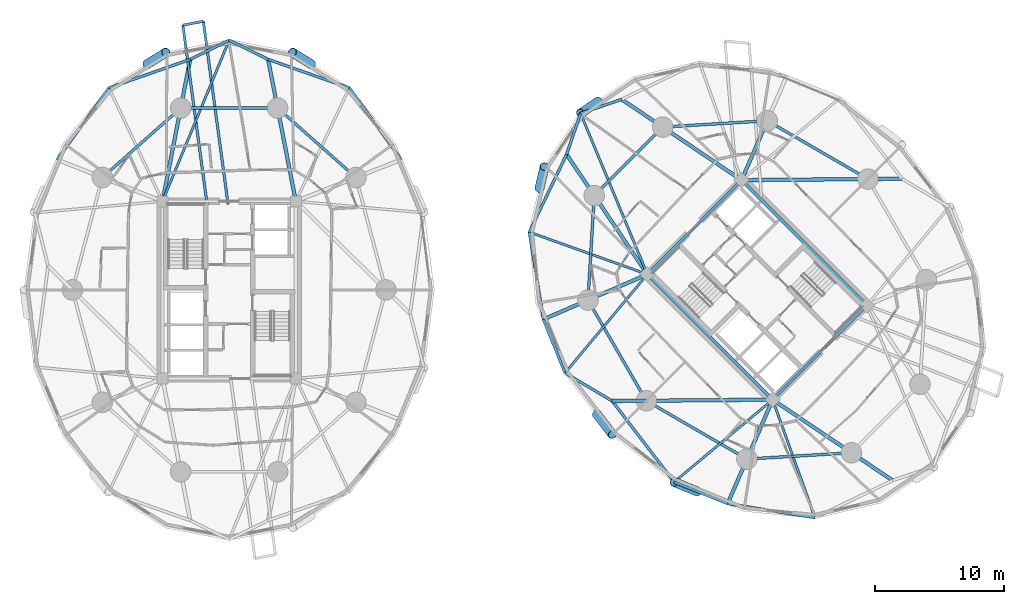
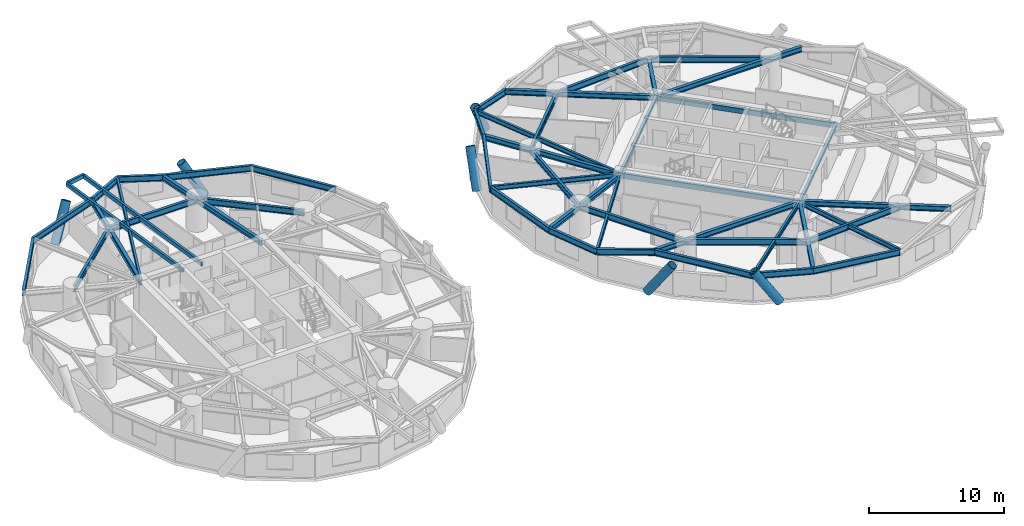
# One storey, part 5 of 18: 49 beams, 6 members.
"""IFC4 building model written with IfcOpenShell, lengths in metres."""

from ifc_helpers import new_model, si_unit, direction, frame, origin, origin_2d, place, context, subcontext, project, spatial, hollow_rectangle, hollow_circle, i_section, extrude, material, material_profile, profile_set, type_object, element, save


model = new_model("IFC4")

# Units and contexts
model_context = context("Model", 3, precision=1e-05, world=origin(), true_north=direction((0.0, 1.0)))
body_context = subcontext(model_context, "Body", "Model", "MODEL_VIEW")
ifc_project = project(units=[si_unit("LENGTHUNIT", "METRE"), si_unit("AREAUNIT", "SQUARE_METRE"), si_unit("VOLUMEUNIT", "CUBIC_METRE"), si_unit("PLANEANGLEUNIT", "RADIAN"), si_unit("MASSUNIT", "GRAM", prefix="KILO")], contexts=[model_context])

# Site, building, storey
site_placement = place(None, origin())
site = spatial("IfcSite", under=ifc_project, at=site_placement, CompositionType="ELEMENT")
building_placement = place(site_placement, origin())
building = spatial("IfcBuilding", under=site, at=building_placement, Name="Cununo Teusaquillo Station Towers", CompositionType="ELEMENT")
storey_placement = place(building_placement, frame((0.0, 0.0, 54.010009765625)))
storey = spatial("IfcBuildingStorey", under=building, at=storey_placement, Name="L16", CompositionType="ELEMENT", Elevation=54.010009765625)

# Beams
ifc_material_1 = material(Name="Steel EN 10025-2 S355J2", Category="steel")
ifc_material_profile_1 = material_profile(ifc_material_1, hollow_rectangle(XDim=0.199951171875, YDim=0.35009765625, WallThickness=0.013916015625, at=origin_2d()), Name="RHS 350x200x14")
ifc_profile_set_1 = profile_set([ifc_material_profile_1], Name="Steel EN 10025-2 S355J2")
beam_type_1 = type_object("IfcBeamType", Name="BM-BAL-CANT", PredefinedType="BEAM", material=ifc_profile_set_1)
beam_1_placement = place(storey_placement, frame((16.415283203125, 31.14990234375, 2.47509765625), z_axis=(-0.133924221821, 0.990991575549, 0.0), x_axis=(-0.990991575549, -0.133924221821, 0.0)))
element("IfcBeam", 1, at=beam_1_placement, inside=storey, type_object=beam_type_1, Name="L16 Tower A Balcony Cantilever Bracket 1A", PredefinedType="BEAM", context=body_context, shape_type="SweptSolid", body=[
    extrude(hollow_rectangle(XDim=0.199951171875, YDim=0.35009765625, WallThickness=0.013916015625, at=origin_2d()), origin(), (0.0, 0.0, 1.0), 14.34130859375),
])
beam_2_placement = place(storey_placement, frame((14.78759765625, 31.14990234375, 2.47509765625), z_axis=(-0.133936830088, 0.990989871566, 0.0), x_axis=(-0.990989871566, -0.133936830088, 0.0)))
element("IfcBeam", 2, at=beam_2_placement, inside=storey, type_object=beam_type_1, Name="L16 Tower A Balcony Cantilever Bracket 1B", PredefinedType="BEAM", context=body_context, shape_type="SweptSolid", body=[
    extrude(hollow_rectangle(XDim=0.199951171875, YDim=0.35009765625, WallThickness=0.013916015625, at=origin_2d()), origin(), (0.0, 0.0, 1.0), 14.031982421875),
])
ifc_material_2 = material(Name="Steel EN 10025-2 S355J2", Category="steel")
ifc_material_profile_2 = material_profile(ifc_material_2, hollow_rectangle(XDim=0.25, YDim=0.449951171875, WallThickness=0.01611328125, at=origin_2d()), Name="RHS 450x250x16")
ifc_profile_set_2 = profile_set([ifc_material_profile_2], Name="Steel EN 10025-2 S355J2")
beam_type_2 = type_object("IfcBeamType", Name="BM-COUP-1", PredefinedType="USERDEFINED", material=ifc_profile_set_2)
for number, where, z_axis, x_axis, name in (
    (3, (58.70556640625, 15.975830078125, 2.425048828125), (-0.707106781187, 0.707106781187, 0.0), (-0.707106781187, -0.707106781187, 0.0), "L16 Tower B Core Beam 1"),
    (4, (66.024169921875, 23.29443359375, 2.425048828125), (-0.707106781187, 0.707106781187, 0.0), (-0.707106781187, -0.707106781187, 0.0), "L16 Tower B Core Beam 2"),
):
    element("IfcBeam", number, at=place(storey_placement, frame(where, z_axis=z_axis, x_axis=x_axis)), inside=storey, type_object=beam_type_2, Name=name, ObjectType="COUPLING BEAM", PredefinedType="USERDEFINED", context=body_context, shape_type="SweptSolid", body=[
        extrude(hollow_rectangle(XDim=0.25, YDim=0.449951171875, WallThickness=0.01611328125, at=origin_2d()), origin(), (0.0, 0.0, 1.0), 13.760009765625),
    ])
ifc_material_3 = material(Name="Steel ASTM A572 Grade 50", Category="steel")
ifc_material_profile_3 = material_profile(ifc_material_3, i_section(OverallWidth=0.180908203125, OverallDepth=0.4169921875, WebThickness=0.010986328125, FlangeThickness=0.018310546875, FilletRadius=0.012939453125, at=origin_2d()), Name="W16X57")
ifc_profile_set_3 = profile_set([ifc_material_profile_3], Name="Steel ASTM A572 Grade 50")
beam_type_3 = type_object("IfcBeamType", Name="BM-JOIST-1", PredefinedType="JOIST", material=ifc_profile_set_3)
for number, where, z_axis, x_axis, name in (
    (5, (11.324951171875, 31.3798828125, 2.44140625), (0.382256753081, 0.924056153447, 0.0), (-0.924056153447, 0.382256753081, 0.0), "L16 Tower A Radial Spandrel Joist V05"),
    (6, (48.975830078125, 25.70556640625, 2.44140625), (-0.383107724927, 0.923703670612, 0.0), (-0.923703670612, -0.383107724927, 0.0), "L16 Tower B Radial Spandrel Joist V05"),
):
    element("IfcBeam", number, at=place(storey_placement, frame(where, z_axis=z_axis, x_axis=x_axis)), inside=storey, type_object=beam_type_3, Name=name, PredefinedType="JOIST", context=body_context, shape_type="SweptSolid", body=[
        extrude(i_section(OverallWidth=0.180908203125, OverallDepth=0.4169921875, WebThickness=0.010986328125, FlangeThickness=0.018310546875, FilletRadius=0.012939453125, at=origin_2d()), origin(), (0.0, 0.0, 1.0), 13.5380859375),
    ])
beam_3_placement = place(storey_placement, frame((48.975830078125, 25.70556640625, 2.44140625), z_axis=(-0.941404588136, 0.337279411522, 0.0), x_axis=(-0.337279411522, -0.941404588136, 0.0)))
element("IfcBeam", 7, at=beam_3_placement, inside=storey, type_object=beam_type_3, Name="L16 Tower B Radial Spandrel Joist V07", PredefinedType="JOIST", context=body_context, shape_type="SweptSolid", body=[
    extrude(i_section(OverallWidth=0.180908203125, OverallDepth=0.4169921875, WebThickness=0.010986328125, FlangeThickness=0.018310546875, FilletRadius=0.012939453125, at=origin_2d()), origin(), (0.0, 0.0, 1.0), 9.740234375),
])
for number, where, z_axis, x_axis, name in (
    (8, (48.975830078125, 25.70556640625, 2.44140625), (-0.641315728701, -0.767277092139, 0.0), (0.767277092139, -0.641315728701, 0.0), "L16 Tower B Radial Spandrel Joist V09"),
    (9, (58.70556640625, 15.975830078125, 2.44140625), (-0.767277092139, -0.641315728701, 0.0), (0.641315728701, -0.767277092139, 0.0), "L16 Tower B Radial Spandrel Joist V11"),
):
    element("IfcBeam", number, at=place(storey_placement, frame(where, z_axis=z_axis, x_axis=x_axis)), inside=storey, type_object=beam_type_3, Name=name, PredefinedType="JOIST", context=body_context, shape_type="SweptSolid", body=[
        extrude(i_section(OverallWidth=0.180908203125, OverallDepth=0.4169921875, WebThickness=0.010986328125, FlangeThickness=0.018310546875, FilletRadius=0.012939453125, at=origin_2d()), origin(), (0.0, 0.0, 1.0), 9.97021484375),
    ])
beam_4_placement = place(storey_placement, frame((58.70556640625, 15.975830078125, 2.44140625), z_axis=(0.337279411522, -0.941404588136, 0.0), x_axis=(0.941404588136, 0.337279411522, 0.0)))
element("IfcBeam", 10, at=beam_4_placement, inside=storey, type_object=beam_type_3, Name="L16 Tower B Radial Spandrel Joist V13", PredefinedType="JOIST", context=body_context, shape_type="SweptSolid", body=[
    extrude(i_section(OverallWidth=0.180908203125, OverallDepth=0.4169921875, WebThickness=0.010986328125, FlangeThickness=0.018310546875, FilletRadius=0.012939453125, at=origin_2d()), origin(), (0.0, 0.0, 1.0), 9.740234375),
])
ifc_material_4 = material(Name="Steel ASTM A572 Grade 50", Category="steel")
ifc_material_profile_4 = material_profile(ifc_material_4, i_section(OverallWidth=0.2041015625, OverallDepth=0.35009765625, WebThickness=0.008544921875, FlangeThickness=0.01513671875, FilletRadius=0.011962890625, at=origin_2d()), Name="W14X48")
ifc_profile_set_4 = profile_set([ifc_material_profile_4], Name="Steel ASTM A572 Grade 50")
beam_type_4 = type_object("IfcBeamType", Name="BM-LINTEL-1", PredefinedType="LINTEL", material=ifc_profile_set_4)
for number, where, z_axis, x_axis, name in (
    (11, (58.70556640625, 15.975830078125, 2.47509765625), (0.707106781187, 0.707106781187, 0.0), (-0.707106781187, 0.707106781187, 0.0), "L16 Tower B Core Beam 3"),
    (12, (48.975830078125, 25.70556640625, 2.47509765625), (0.707106781187, 0.707106781187, 0.0), (-0.707106781187, 0.707106781187, 0.0), "L16 Tower B Core Beam 4"),
):
    element("IfcBeam", number, at=place(storey_placement, frame(where, z_axis=z_axis, x_axis=x_axis)), inside=storey, type_object=beam_type_4, Name=name, PredefinedType="LINTEL", context=body_context, shape_type="SweptSolid", body=[
        extrude(i_section(OverallWidth=0.2041015625, OverallDepth=0.35009765625, WebThickness=0.008544921875, FlangeThickness=0.01513671875, FilletRadius=0.011962890625, at=origin_2d()), origin(), (0.0, 0.0, 1.0), 10.35009765625),
    ])
ifc_material_5 = material(Name="Steel ASTM A572 Grade 50", Category="steel")
ifc_material_profile_5 = material_profile(ifc_material_5, i_section(OverallWidth=0.280029296875, OverallDepth=0.462890625, WebThickness=0.0107421875, FlangeThickness=0.017333984375, FilletRadius=0.013916015625, at=origin_2d()), Name="W18X76")
ifc_profile_set_5 = profile_set([ifc_material_profile_5], Name="Steel ASTM A572 Grade 50")
beam_type_5 = type_object("IfcBeamType", Name="BM-RAD-G1", PredefinedType="BEAM", material=ifc_profile_set_5)
for number, where, z_axis, x_axis, name in (
    (13, (21.675048828125, 31.3798828125, 2.41845703125), (-0.191552755713, 0.981482318628, 0.0), (-0.981482318628, -0.191552755713, 0.0), "L16 Tower A Continuous Overhanging Radial Girder 03"),
    (14, (11.324951171875, 31.3798828125, 2.41845703125), (0.191552755713, 0.981482318628, 0.0), (-0.981482318628, 0.191552755713, 0.0), "L16 Tower A Continuous Overhanging Radial Girder 04"),
):
    element("IfcBeam", number, at=place(storey_placement, frame(where, z_axis=z_axis, x_axis=x_axis)), inside=storey, type_object=beam_type_5, Name=name, PredefinedType="BEAM", context=body_context, shape_type="SweptSolid", body=[
        extrude(i_section(OverallWidth=0.280029296875, OverallDepth=0.462890625, WebThickness=0.0107421875, FlangeThickness=0.017333984375, FilletRadius=0.013916015625, at=origin_2d()), origin(), (0.0, 0.0, 1.0), 11.22998046875),
    ])
beam_5_placement = place(storey_placement, frame((56.29443359375, 33.024169921875, 2.41845703125), z_axis=(0.999964334348, 0.008445710917, 0.0), x_axis=(-0.008445710917, 0.999964334348, 0.0)))
element("IfcBeam", 15, at=beam_5_placement, inside=storey, type_object=beam_type_5, Name="L16 Tower B Continuous Overhanging Radial Girder 01", PredefinedType="BEAM", context=body_context, shape_type="SweptSolid", body=[
    extrude(i_section(OverallWidth=0.280029296875, OverallDepth=0.462890625, WebThickness=0.0107421875, FlangeThickness=0.017333984375, FilletRadius=0.013916015625, at=origin_2d()), origin(), (0.0, 0.0, 1.0), 12.458984375),
])
beam_6_placement = place(storey_placement, frame((56.29443359375, 33.024169921875, 2.41845703125), z_axis=(0.397346986387, 0.917668443616, 0.0), x_axis=(-0.917668443616, 0.397346986387, 0.0)))
element("IfcBeam", 16, at=beam_6_placement, inside=storey, type_object=beam_type_5, Name="L16 Tower B Radial Girder 02A", PredefinedType="BEAM", context=body_context, shape_type="SweptSolid", body=[
    extrude(i_section(OverallWidth=0.280029296875, OverallDepth=0.462890625, WebThickness=0.0107421875, FlangeThickness=0.017333984375, FilletRadius=0.013916015625, at=origin_2d()), origin(), (0.0, 0.0, 1.0), 5.02490234375),
])
for number, where, z_axis, x_axis, name in (
    (17, (56.29443359375, 33.024169921875, 2.41845703125), (-0.82945583878, 0.558572297481, 0.0), (-0.558572297481, -0.82945583878, 0.0), "L16 Tower B Continuous Overhanging Radial Girder 03"),
    (18, (48.975830078125, 25.70556640625, 2.41845703125), (-0.558572297481, 0.82945583878, 0.0), (-0.82945583878, -0.558572297481, 0.0), "L16 Tower B Continuous Overhanging Radial Girder 04"),
):
    element("IfcBeam", number, at=place(storey_placement, frame(where, z_axis=z_axis, x_axis=x_axis)), inside=storey, type_object=beam_type_5, Name=name, PredefinedType="BEAM", context=body_context, shape_type="SweptSolid", body=[
        extrude(i_section(OverallWidth=0.280029296875, OverallDepth=0.462890625, WebThickness=0.0107421875, FlangeThickness=0.017333984375, FilletRadius=0.013916015625, at=origin_2d()), origin(), (0.0, 0.0, 1.0), 11.22998046875),
    ])
beam_7_placement = place(storey_placement, frame((48.975830078125, 25.70556640625, 2.41845703125), z_axis=(-0.917660203996, -0.397366015157, 0.0), x_axis=(0.397366015157, -0.917660203996, 0.0)))
element("IfcBeam", 19, at=beam_7_placement, inside=storey, type_object=beam_type_5, Name="L16 Tower B Continuous Overhanging Radial Girder 05", PredefinedType="BEAM", context=body_context, shape_type="SweptSolid", body=[
    extrude(i_section(OverallWidth=0.280029296875, OverallDepth=0.462890625, WebThickness=0.0107421875, FlangeThickness=0.017333984375, FilletRadius=0.013916015625, at=origin_2d()), origin(), (0.0, 0.0, 1.0), 8.798095703125),
])
beam_8_placement = place(storey_placement, frame((58.70556640625, 15.975830078125, 2.41845703125), z_axis=(-0.999964431382, -0.008434214327, 0.0), x_axis=(0.008434214327, -0.999964431382, 0.0)))
element("IfcBeam", 20, at=beam_8_placement, inside=storey, type_object=beam_type_5, Name="L16 Tower B Radial Girder 06A", PredefinedType="BEAM", context=body_context, shape_type="SweptSolid", body=[
    extrude(i_section(OverallWidth=0.280029296875, OverallDepth=0.462890625, WebThickness=0.0107421875, FlangeThickness=0.017333984375, FilletRadius=0.013916015625, at=origin_2d()), origin(), (0.0, 0.0, 1.0), 9.812744140625),
])
beam_9_placement = place(storey_placement, frame((48.89306640625, 15.89306640625, 2.41845703125), z_axis=(-0.999963973349, -0.008488345225, 0.0), x_axis=(0.008488345225, -0.999963973349, 0.0)))
element("IfcBeam", 21, at=beam_9_placement, inside=storey, type_object=beam_type_5, Name="L16 Tower B Perimeter Overhang Girder 06B", PredefinedType="BEAM", context=body_context, shape_type="SweptSolid", body=[
    extrude(i_section(OverallWidth=0.280029296875, OverallDepth=0.462890625, WebThickness=0.0107421875, FlangeThickness=0.017333984375, FilletRadius=0.013916015625, at=origin_2d()), origin(), (0.0, 0.0, 1.0), 2.64599609375),
])
beam_10_placement = place(storey_placement, frame((58.70556640625, 15.975830078125, 2.41845703125), z_axis=(-0.397366015157, -0.917660203996, 0.0), x_axis=(0.917660203996, -0.397366015157, 0.0)))
element("IfcBeam", 22, at=beam_10_placement, inside=storey, type_object=beam_type_5, Name="L16 Tower B Continuous Overhanging Radial Girder 07", PredefinedType="BEAM", context=body_context, shape_type="SweptSolid", body=[
    extrude(i_section(OverallWidth=0.280029296875, OverallDepth=0.462890625, WebThickness=0.0107421875, FlangeThickness=0.017333984375, FilletRadius=0.013916015625, at=origin_2d()), origin(), (0.0, 0.0, 1.0), 8.798095703125),
])
beam_11_placement = place(storey_placement, frame((58.70556640625, 15.975830078125, 2.41845703125), z_axis=(0.82945583878, -0.558572297481, 0.0), x_axis=(0.558572297481, 0.82945583878, 0.0)))
element("IfcBeam", 23, at=beam_11_placement, inside=storey, type_object=beam_type_5, Name="L16 Tower B Continuous Overhanging Radial Girder 08", PredefinedType="BEAM", context=body_context, shape_type="SweptSolid", body=[
    extrude(i_section(OverallWidth=0.280029296875, OverallDepth=0.462890625, WebThickness=0.0107421875, FlangeThickness=0.017333984375, FilletRadius=0.013916015625, at=origin_2d()), origin(), (0.0, 0.0, 1.0), 11.22998046875),
])
ifc_material_6 = material(Name="Steel ASTM A572 Grade 50", Category="steel")
ifc_material_profile_6 = material_profile(ifc_material_6, i_section(OverallWidth=0.214111328125, OverallDepth=0.549072265625, WebThickness=0.0146484375, FlangeThickness=0.023681640625, FilletRadius=0.014892578125, at=origin_2d()), Name="W21X93")
ifc_profile_set_6 = profile_set([ifc_material_profile_6], Name="Steel ASTM A572 Grade 50")
beam_type_6 = type_object("IfcBeamType", Name="BM-RING-Z1", PredefinedType="SPANDREL", material=ifc_profile_set_6)
beam_12_placement = place(storey_placement, frame((26.347412109375, 33.228515625, 2.37548828125), z_axis=(-0.74832120039, 0.66333655187, 0.0), x_axis=(-0.66333655187, -0.74832120039, 0.0)))
element("IfcBeam", 24, at=beam_12_placement, inside=storey, type_object=beam_type_6, Name="L16 Tower A Structural Column Ring Girder 02", PredefinedType="SPANDREL", context=body_context, shape_type="SweptSolid", body=[
    extrude(i_section(OverallWidth=0.214111328125, OverallDepth=0.549072265625, WebThickness=0.0146484375, FlangeThickness=0.023681640625, FilletRadius=0.014892578125, at=origin_2d()), origin(), (0.0, 0.0, 1.0), 8.1328125),
])
beam_13_placement = place(storey_placement, frame((20.261474609375, 38.623291015625, 2.37548828125), z_axis=(-1.0, 0.0, 0.0), x_axis=(0.0, -1.0, 0.0)))
element("IfcBeam", 25, at=beam_13_placement, inside=storey, type_object=beam_type_6, Name="L16 Tower A Structural Column Ring Girder 03", PredefinedType="SPANDREL", context=body_context, shape_type="SweptSolid", body=[
    extrude(i_section(OverallWidth=0.214111328125, OverallDepth=0.549072265625, WebThickness=0.0146484375, FlangeThickness=0.023681640625, FilletRadius=0.014892578125, at=origin_2d()), origin(), (0.0, 0.0, 1.0), 7.52294921875),
])
beam_14_placement = place(storey_placement, frame((12.738525390625, 38.623291015625, 2.37548828125), z_axis=(-0.74832120039, -0.66333655187, 0.0), x_axis=(0.66333655187, -0.74832120039, 0.0)))
element("IfcBeam", 26, at=beam_14_placement, inside=storey, type_object=beam_type_6, Name="L16 Tower A Structural Column Ring Girder 04", PredefinedType="SPANDREL", context=body_context, shape_type="SweptSolid", body=[
    extrude(i_section(OverallWidth=0.214111328125, OverallDepth=0.549072265625, WebThickness=0.0146484375, FlangeThickness=0.023681640625, FilletRadius=0.014892578125, at=origin_2d()), origin(), (0.0, 0.0, 1.0), 8.1328125),
])
beam_15_placement = place(storey_placement, frame((29.856201171875, 34.61669921875, 2.37548828125), z_axis=(-0.585268642749, 0.810839451319, 0.0), x_axis=(-0.810839451319, -0.585268642749, 0.0)))
element("IfcBeam", 27, at=beam_15_placement, inside=storey, type_object=beam_type_6, Name="L16 Tower A Spandrel Ring Beam 03", PredefinedType="SPANDREL", context=body_context, shape_type="SweptSolid", body=[
    extrude(i_section(OverallWidth=0.214111328125, OverallDepth=0.549072265625, WebThickness=0.0146484375, FlangeThickness=0.023681640625, FilletRadius=0.014892578125, at=origin_2d()), origin(), (0.0, 0.0, 1.0), 6.86962890625),
])
beam_16_placement = place(storey_placement, frame((25.835693359375, 40.186767578125, 2.37548828125), z_axis=(-0.943579776012, 0.33114529485, 0.0), x_axis=(-0.33114529485, -0.943579776012, 0.0)))
element("IfcBeam", 28, at=beam_16_placement, inside=storey, type_object=beam_type_6, Name="L16 Tower A Spandrel Ring Beam 04", PredefinedType="SPANDREL", context=body_context, shape_type="SweptSolid", body=[
    extrude(i_section(OverallWidth=0.214111328125, OverallDepth=0.549072265625, WebThickness=0.0146484375, FlangeThickness=0.023681640625, FilletRadius=0.014892578125, at=origin_2d()), origin(), (0.0, 0.0, 1.0), 6.689208984375),
])
for number, where, z_axis, x_axis, name in (
    (29, (19.52392578125, 42.40185546875, 2.37548828125), (-0.8972488299, 0.441525239645, 0.0), (-0.441525239645, -0.8972488299, 0.0), "L16 Tower A Spandrel Ring Beam 05"),
    (30, (16.5, 43.889892578125, 2.37548828125), (-0.8972488299, -0.441525239645, 0.0), (0.441525239645, -0.8972488299, 0.0), "L16 Tower A Spandrel Ring Beam 06"),
):
    element("IfcBeam", number, at=place(storey_placement, frame(where, z_axis=z_axis, x_axis=x_axis)), inside=storey, type_object=beam_type_6, Name=name, PredefinedType="SPANDREL", context=body_context, shape_type="SweptSolid", body=[
        extrude(i_section(OverallWidth=0.214111328125, OverallDepth=0.549072265625, WebThickness=0.0146484375, FlangeThickness=0.023681640625, FilletRadius=0.014892578125, at=origin_2d()), origin(), (0.0, 0.0, 1.0), 3.3701171875),
    ])
beam_17_placement = place(storey_placement, frame((13.47607421875, 42.40185546875, 2.37548828125), z_axis=(-0.943579776012, -0.33114529485, 0.0), x_axis=(0.33114529485, -0.943579776012, 0.0)))
element("IfcBeam", 31, at=beam_17_placement, inside=storey, type_object=beam_type_6, Name="L16 Tower A Spandrel Ring Beam 07", PredefinedType="SPANDREL", context=body_context, shape_type="SweptSolid", body=[
    extrude(i_section(OverallWidth=0.214111328125, OverallDepth=0.549072265625, WebThickness=0.0146484375, FlangeThickness=0.023681640625, FilletRadius=0.014892578125, at=origin_2d()), origin(), (0.0, 0.0, 1.0), 6.689208984375),
])
beam_18_placement = place(storey_placement, frame((7.164306640625, 40.186767578125, 2.37548828125), z_axis=(-0.585268642749, -0.810839451319, 0.0), x_axis=(0.810839451319, -0.585268642749, 0.0)))
element("IfcBeam", 32, at=beam_18_placement, inside=storey, type_object=beam_type_6, Name="L16 Tower A Spandrel Ring Beam 08", PredefinedType="SPANDREL", context=body_context, shape_type="SweptSolid", body=[
    extrude(i_section(OverallWidth=0.214111328125, OverallDepth=0.549072265625, WebThickness=0.0146484375, FlangeThickness=0.023681640625, FilletRadius=0.014892578125, at=origin_2d()), origin(), (0.0, 0.0, 1.0), 6.86962890625),
])
beam_19_placement = place(storey_placement, frame((66.10693359375, 33.10693359375, 2.37548828125), z_axis=(-0.865267103202, 0.501311121078, 0.0), x_axis=(-0.501311121078, -0.865267103202, 0.0)))
element("IfcBeam", 33, at=beam_19_placement, inside=storey, type_object=beam_type_6, Name="L16 Tower B Structural Column Ring Girder 01", PredefinedType="SPANDREL", context=body_context, shape_type="SweptSolid", body=[
    extrude(i_section(OverallWidth=0.214111328125, OverallDepth=0.549072265625, WebThickness=0.0146484375, FlangeThickness=0.023681640625, FilletRadius=0.014892578125, at=origin_2d()), origin(), (0.0, 0.0, 1.0), 9.032958984375),
])
beam_20_placement = place(storey_placement, frame((58.291015625, 37.63525390625, 2.37548828125), z_axis=(-0.998190567048, -0.06012979176, 0.0), x_axis=(0.06012979176, -0.998190567048, 0.0)))
element("IfcBeam", 34, at=beam_20_placement, inside=storey, type_object=beam_type_6, Name="L16 Tower B Structural Column Ring Girder 02", PredefinedType="SPANDREL", context=body_context, shape_type="SweptSolid", body=[
    extrude(i_section(OverallWidth=0.214111328125, OverallDepth=0.549072265625, WebThickness=0.0146484375, FlangeThickness=0.023681640625, FilletRadius=0.014892578125, at=origin_2d()), origin(), (0.0, 0.0, 1.0), 8.132568359375),
])
beam_21_placement = place(storey_placement, frame((50.173095703125, 37.146240234375, 2.37548828125), z_axis=(-0.707106781187, -0.707106781187, 0.0), x_axis=(0.707106781187, -0.707106781187, 0.0)))
element("IfcBeam", 35, at=beam_21_placement, inside=storey, type_object=beam_type_6, Name="L16 Tower B Structural Column Ring Girder 03", PredefinedType="SPANDREL", context=body_context, shape_type="SweptSolid", body=[
    extrude(i_section(OverallWidth=0.214111328125, OverallDepth=0.549072265625, WebThickness=0.0146484375, FlangeThickness=0.023681640625, FilletRadius=0.014892578125, at=origin_2d()), origin(), (0.0, 0.0, 1.0), 7.522705078125),
])
beam_22_placement = place(storey_placement, frame((44.853759765625, 31.826904296875, 2.37548828125), z_axis=(-0.06012979176, -0.998190567048, 0.0), x_axis=(0.998190567048, -0.06012979176, 0.0)))
element("IfcBeam", 36, at=beam_22_placement, inside=storey, type_object=beam_type_6, Name="L16 Tower B Structural Column Ring Girder 04", PredefinedType="SPANDREL", context=body_context, shape_type="SweptSolid", body=[
    extrude(i_section(OverallWidth=0.214111328125, OverallDepth=0.549072265625, WebThickness=0.0146484375, FlangeThickness=0.023681640625, FilletRadius=0.014892578125, at=origin_2d()), origin(), (0.0, 0.0, 1.0), 8.132568359375),
])
for number, where, z_axis, x_axis, name in (
    (37, (44.36474609375, 23.708984375, 2.37548828125), (0.501311121078, -0.865267103202, 0.0), (0.865267103202, 0.501311121078, 0.0), "L16 Tower B Structural Column Ring Girder 05"),
    (38, (48.89306640625, 15.89306640625, 2.37548828125), (0.865267103202, -0.501311121078, 0.0), (0.501311121078, 0.865267103202, 0.0), "L16 Tower B Structural Column Ring Girder 06"),
):
    element("IfcBeam", number, at=place(storey_placement, frame(where, z_axis=z_axis, x_axis=x_axis)), inside=storey, type_object=beam_type_6, Name=name, PredefinedType="SPANDREL", context=body_context, shape_type="SweptSolid", body=[
        extrude(i_section(OverallWidth=0.214111328125, OverallDepth=0.549072265625, WebThickness=0.0146484375, FlangeThickness=0.023681640625, FilletRadius=0.014892578125, at=origin_2d()), origin(), (0.0, 0.0, 1.0), 9.032958984375),
    ])
beam_23_placement = place(storey_placement, frame((56.708984375, 11.36474609375, 2.37548828125), z_axis=(0.998190567048, 0.06012979176, 0.0), x_axis=(-0.06012979176, 0.998190567048, 0.0)))
element("IfcBeam", 39, at=beam_23_placement, inside=storey, type_object=beam_type_6, Name="L16 Tower B Structural Column Ring Girder 07", PredefinedType="SPANDREL", context=body_context, shape_type="SweptSolid", body=[
    extrude(i_section(OverallWidth=0.214111328125, OverallDepth=0.549072265625, WebThickness=0.0146484375, FlangeThickness=0.023681640625, FilletRadius=0.014892578125, at=origin_2d()), origin(), (0.0, 0.0, 1.0), 8.132568359375),
])
for number, where, z_axis, x_axis, name in (
    (40, (46.979736328125, 39.296875, 2.37548828125), (-0.946642852865, -0.322284515794, 0.0), (0.322284515794, -0.946642852865, 0.0), "L16 Tower B Spandrel Ring Beam 05"),
    (41, (43.789306640625, 38.210693359375, 2.37548828125), (-0.322284515794, -0.946642852865, 0.0), (0.946642852865, -0.322284515794, 0.0), "L16 Tower B Spandrel Ring Beam 06"),
):
    element("IfcBeam", number, at=place(storey_placement, frame(where, z_axis=z_axis, x_axis=x_axis)), inside=storey, type_object=beam_type_6, Name=name, PredefinedType="SPANDREL", context=body_context, shape_type="SweptSolid", body=[
        extrude(i_section(OverallWidth=0.214111328125, OverallDepth=0.549072265625, WebThickness=0.0146484375, FlangeThickness=0.023681640625, FilletRadius=0.014892578125, at=origin_2d()), origin(), (0.0, 0.0, 1.0), 3.370361328125),
    ])
beam_24_placement = place(storey_placement, frame((42.703125, 35.020263671875, 2.37548828125), z_axis=(-0.433040723491, -0.901374357189, 0.0), x_axis=(0.901374357189, -0.433040723491, 0.0)))
element("IfcBeam", 42, at=beam_24_placement, inside=storey, type_object=beam_type_6, Name="L16 Tower B Spandrel Ring Beam 07", PredefinedType="SPANDREL", context=body_context, shape_type="SweptSolid", body=[
    extrude(i_section(OverallWidth=0.214111328125, OverallDepth=0.549072265625, WebThickness=0.0146484375, FlangeThickness=0.023681640625, FilletRadius=0.014892578125, at=origin_2d()), origin(), (0.0, 0.0, 1.0), 6.689208984375),
])
beam_25_placement = place(storey_placement, frame((39.806396484375, 28.99072265625, 2.37548828125), z_axis=(0.15950955411, -0.987196384793, 0.0), x_axis=(0.987196384793, 0.15950955411, 0.0)))
element("IfcBeam", 43, at=beam_25_placement, inside=storey, type_object=beam_type_6, Name="L16 Tower B Spandrel Ring Beam 08", PredefinedType="SPANDREL", context=body_context, shape_type="SweptSolid", body=[
    extrude(i_section(OverallWidth=0.214111328125, OverallDepth=0.549072265625, WebThickness=0.0146484375, FlangeThickness=0.023681640625, FilletRadius=0.014892578125, at=origin_2d()), origin(), (0.0, 0.0, 1.0), 6.869140625),
])
beam_26_placement = place(storey_placement, frame((40.902099609375, 22.20947265625, 2.37548828125), z_axis=(0.374882843411, -0.927072194447, 0.0), x_axis=(0.927072194447, 0.374882843411, 0.0)))
element("IfcBeam", 44, at=beam_26_placement, inside=storey, type_object=beam_type_6, Name="L16 Tower B Spandrel Ring Beam 09", PredefinedType="SPANDREL", context=body_context, shape_type="SweptSolid", body=[
    extrude(i_section(OverallWidth=0.214111328125, OverallDepth=0.549072265625, WebThickness=0.0146484375, FlangeThickness=0.023681640625, FilletRadius=0.014892578125, at=origin_2d()), origin(), (0.0, 0.0, 1.0), 4.48046875),
])
beam_27_placement = place(storey_placement, frame((42.581787109375, 18.0556640625, 2.37548828125), z_axis=(0.858948426011, -0.512062107027, 0.0), x_axis=(0.512062107027, 0.858948426011, 0.0)))
element("IfcBeam", 45, at=beam_27_placement, inside=storey, type_object=beam_type_6, Name="L16 Tower B Spandrel Ring Beam 10", PredefinedType="SPANDREL", context=body_context, shape_type="SweptSolid", body=[
    extrude(i_section(OverallWidth=0.214111328125, OverallDepth=0.549072265625, WebThickness=0.0146484375, FlangeThickness=0.023681640625, FilletRadius=0.014892578125, at=origin_2d()), origin(), (0.0, 0.0, 1.0), 4.26708984375),
])
beam_28_placement = place(storey_placement, frame((46.2470703125, 15.87060546875, 2.37548828125), z_axis=(0.607410042696, -0.794388469222, 0.0), x_axis=(0.794388469222, 0.607410042696, 0.0)))
element("IfcBeam", 46, at=beam_28_placement, inside=storey, type_object=beam_type_6, Name="L16 Tower B Spandrel Ring Beam 11", PredefinedType="SPANDREL", context=body_context, shape_type="SweptSolid", body=[
    extrude(i_section(OverallWidth=0.214111328125, OverallDepth=0.549072265625, WebThickness=0.0146484375, FlangeThickness=0.023681640625, FilletRadius=0.014892578125, at=origin_2d()), origin(), (0.0, 0.0, 1.0), 7.91650390625),
])
beam_29_placement = place(storey_placement, frame((51.0556640625, 9.581787109375, 2.37548828125), z_axis=(0.927072194447, -0.374882843411, 0.0), x_axis=(0.374882843411, 0.927072194447, 0.0)))
element("IfcBeam", 47, at=beam_29_placement, inside=storey, type_object=beam_type_6, Name="L16 Tower B Spandrel Ring Beam 12", PredefinedType="SPANDREL", context=body_context, shape_type="SweptSolid", body=[
    extrude(i_section(OverallWidth=0.214111328125, OverallDepth=0.549072265625, WebThickness=0.0146484375, FlangeThickness=0.023681640625, FilletRadius=0.014892578125, at=origin_2d()), origin(), (0.0, 0.0, 1.0), 4.48046875),
])
beam_30_placement = place(storey_placement, frame((55.20947265625, 7.902099609375, 2.37548828125), z_axis=(0.987196384793, -0.15950955411, 0.0), x_axis=(0.15950955411, 0.987196384793, 0.0)))
element("IfcBeam", 48, at=beam_30_placement, inside=storey, type_object=beam_type_6, Name="L16 Tower B Spandrel Ring Beam 13", PredefinedType="SPANDREL", context=body_context, shape_type="SweptSolid", body=[
    extrude(i_section(OverallWidth=0.214111328125, OverallDepth=0.549072265625, WebThickness=0.0146484375, FlangeThickness=0.023681640625, FilletRadius=0.014892578125, at=origin_2d()), origin(), (0.0, 0.0, 1.0), 6.869140625),
])
ifc_material_7 = material(Name="Steel EN 10025-2 S355J2", Category="steel")
ifc_material_profile_7 = material_profile(ifc_material_7, hollow_rectangle(XDim=0.199951171875, YDim=0.35009765625, WallThickness=0.013916015625, at=origin_2d()), Name="RHS 350x200x14")
ifc_profile_set_7 = profile_set([ifc_material_profile_7], Name="Steel EN 10025-2 S355J2")
beam_type_7 = type_object("IfcBeamType", Name="BM-STAIR-TRIM", PredefinedType="BEAM", material=ifc_profile_set_7)
beam_31_placement = place(storey_placement, frame((14.49462890625, 45.362060546875, 2.52490234375), z_axis=(-0.981827104253, -0.189777599714, 0.0), x_axis=(0.189777599714, -0.981827104253, 0.0)))
element("IfcBeam", 49, at=beam_31_placement, inside=storey, type_object=beam_type_7, Name="L16 Tower A Balcony Edge Trimmer Beam 1", PredefinedType="BEAM", context=body_context, shape_type="SweptSolid", body=[
    extrude(hollow_rectangle(XDim=0.199951171875, YDim=0.35009765625, WallThickness=0.013916015625, at=origin_2d()), origin(), (0.0, 0.0, 1.0), 1.61572265625),
])

# Members
ifc_material_8 = material(Name="Steel EN 10025-2 S355J2", Category="steel")
ifc_material_profile_8 = material_profile(ifc_material_8, hollow_circle(Radius=0.360107421875, WallThickness=0.028076171875, at=origin_2d()), Name="CHS 720x28")
ifc_profile_set_8 = profile_set([ifc_material_profile_8], Name="Steel EN 10025-2 S355J2")
member_type = type_object("IfcMemberType", Name="MBR-DIAG-Z1", PredefinedType="BRACE", material=ifc_profile_set_8)
for number, where, z_axis, x_axis, name in (
    (50, (22.884033203125, 42.02294921875, -0.139892578125), (-0.435419540414, 0.270831674435, 0.858522002018), (-0.528166860975, -0.849140604946, 0.0), "L16 Tower A Folded-Zigzag Diagrid Tube C03"),
    (51, (10.115966796875, 42.02294921875, -0.139892578125), (0.435419540414, 0.270831674435, 0.858522002018), (-0.528166860975, 0.849140604946, 0.0), "L16 Tower A Folded-Zigzag Diagrid Tube C06"),
):
    element("IfcMember", number, at=place(storey_placement, frame(where, z_axis=z_axis, x_axis=x_axis)), inside=storey, type_object=member_type, Name=name, PredefinedType="BRACE", context=body_context, shape_type="SweptSolid", body=[
        extrude(hollow_circle(Radius=0.360107421875, WallThickness=0.028076171875, at=origin_2d()), origin(), (0.0, 0.0, 1.0), 3.389404296875),
    ])
member_1_placement = place(storey_placement, frame((45.169677734375, 39.14404296875, -0.139892578125), z_axis=(-0.411654111311, -0.278343414846, 0.867793659836), x_axis=(0.560131970087, -0.828403389712, 0.0)))
element("IfcMember", 52, at=member_1_placement, inside=storey, type_object=member_type, Name="L16 Tower B Folded-Zigzag Diagrid Tube C04", PredefinedType="BRACE", context=body_context, shape_type="SweptSolid", body=[
    extrude(hollow_circle(Radius=0.360107421875, WallThickness=0.028076171875, at=origin_2d()), origin(), (0.0, 0.0, 1.0), 3.353271484375),
])
member_2_placement = place(storey_placement, frame((40.59521484375, 32.37646484375, -0.139892578125), z_axis=(0.116400503539, 0.499384090986, 0.858525743613), x_axis=(-0.973894027021, 0.227003136833, 0.0)))
element("IfcMember", 53, at=member_2_placement, inside=storey, type_object=member_type, Name="L16 Tower B Folded-Zigzag Diagrid Tube C06", PredefinedType="BRACE", context=body_context, shape_type="SweptSolid", body=[
    extrude(hollow_circle(Radius=0.360107421875, WallThickness=0.028076171875, at=origin_2d()), origin(), (0.0, 0.0, 1.0), 3.389404296875),
])
member_3_placement = place(storey_placement, frame((45.0400390625, 14.864501953125, -0.139892578125), z_axis=(0.347288106018, -0.450839843629, 0.82227392444), x_axis=(0.792209205335, 0.610249600559, 0.0)))
element("IfcMember", 54, at=member_3_placement, inside=storey, type_object=member_type, Name="L16 Tower B Folded-Zigzag Diagrid Tube C09", PredefinedType="BRACE", context=body_context, shape_type="SweptSolid", body=[
    extrude(hollow_circle(Radius=0.360107421875, WallThickness=0.028076171875, at=origin_2d()), origin(), (0.0, 0.0, 1.0), 3.538818359375),
])
member_4_placement = place(storey_placement, frame((52.861328125, 8.839599609375, -0.139892578125), z_axis=(-0.515297512564, 0.211804277744, 0.830426048167), x_axis=(-0.380171067947, -0.924916190309, 0.0)))
element("IfcMember", 55, at=member_4_placement, inside=storey, type_object=member_type, Name="L16 Tower B Folded-Zigzag Diagrid Tube C11", PredefinedType="BRACE", context=body_context, shape_type="SweptSolid", body=[
    extrude(hollow_circle(Radius=0.360107421875, WallThickness=0.028076171875, at=origin_2d()), origin(), (0.0, 0.0, 1.0), 3.504150390625),
])

save(model, "model.ifc")
